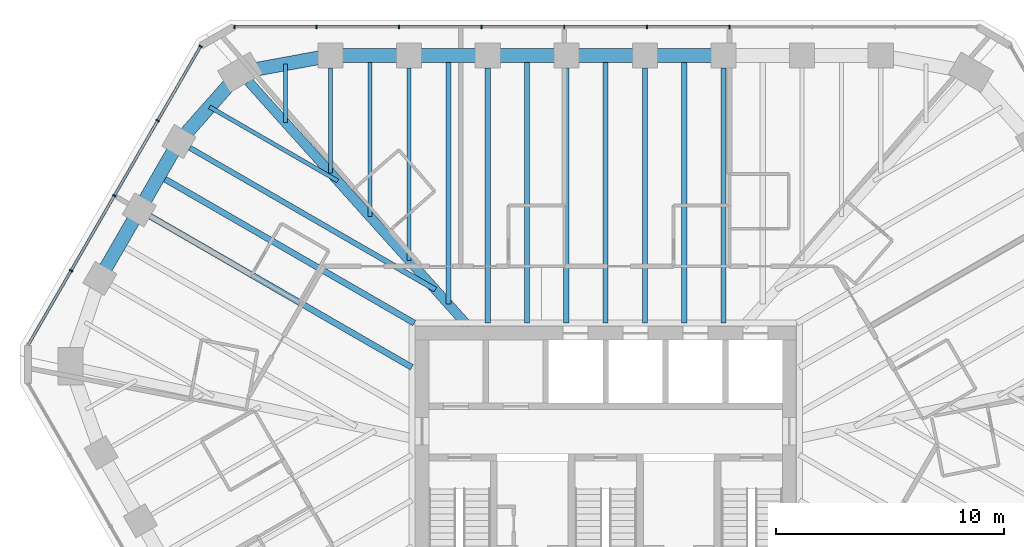
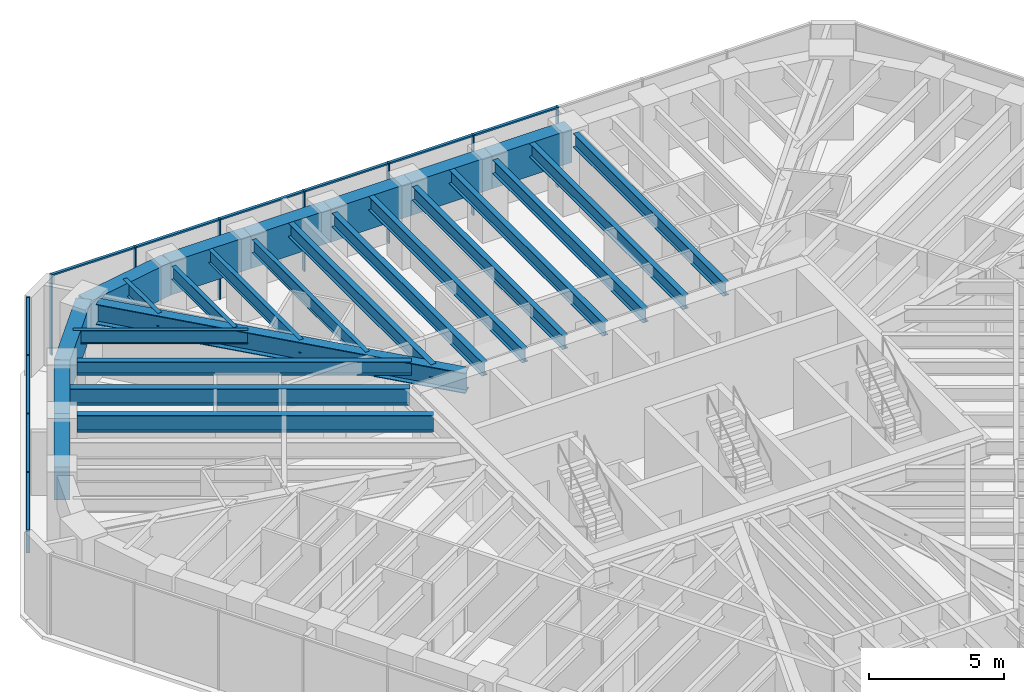
# One storey, part 6 of 14: 26 beams, 21 members, 2 elements without a shape of their own.
"""IFC4 building model written with IfcOpenShell, lengths in metres."""

from ifc_helpers import new_model, si_unit, direction, frame, origin, origin_2d, place, context, subcontext, project, spatial, rectangle, i_section, extrude, material, material_profile, profile_set, type_object, element, aggregate, save


model = new_model("IFC4")

# Units and contexts
model_context = context("Model", 3, precision=1e-05, world=origin(), true_north=direction((0.0, 1.0)))
body_context = subcontext(model_context, "Body", "Model", "MODEL_VIEW")
ifc_project = project(units=[si_unit("LENGTHUNIT", "METRE"), si_unit("AREAUNIT", "SQUARE_METRE"), si_unit("VOLUMEUNIT", "CUBIC_METRE"), si_unit("PLANEANGLEUNIT", "RADIAN"), si_unit("MASSUNIT", "GRAM", prefix="KILO")], contexts=[model_context])

# Site, building, storey
site_placement = place(None, origin())
site = spatial("IfcSite", under=ifc_project, at=site_placement, CompositionType="ELEMENT")
building_placement = place(site_placement, origin())
building = spatial("IfcBuilding", under=site, at=building_placement, Name="Sandreach Pilgrim Tower", CompositionType="ELEMENT")
storey_placement = place(building_placement, frame((0.0, 0.0, 283.60009765625)))
storey = spatial("IfcBuildingStorey", under=building, at=storey_placement, Name="L71", CompositionType="ELEMENT", Elevation=283.60009765625)

# Curtain wall, members
ifc_material_1 = material(Name="Aluminium framed curtain wall", Category="aluminium")
curtain_wall_type = type_object("IfcCurtainWallType", Name="Suite tower curtain wall", PredefinedType="NOTDEFINED", material=ifc_material_1)
curtain_wall_1_placement = place(storey_placement, origin())
curtain_wall_1 = element("IfcCurtainWall", 1, at=curtain_wall_1_placement, inside=storey, type_object=curtain_wall_type, Name="CW-4 L71 N", PredefinedType="NOTDEFINED")
ifc_material_2 = material(Name="Aluminium extrusion", Category="aluminium")
ifc_material_profile_1 = material_profile(ifc_material_2, rectangle(XDim=0.06005859375, YDim=0.159912109375, at=origin_2d()), Name="CW-4M 60X160")
ifc_profile_set_1 = profile_set([ifc_material_profile_1], Name="Aluminium extrusion")
member_type_1 = type_object("IfcMemberType", Name="CW-4 mullion", PredefinedType="MULLION", material=ifc_profile_set_1)
member_1_placement = place(storey_placement, frame((-16.268310546875, 19.826416015625, 0.0), z_axis=(0.0, 0.0, 1.0), x_axis=(1.0, 0.0, 0.0)))
member_1 = element("IfcMember", 2, at=member_1_placement, type_object=member_type_1, Name="CW-4 mullion 1", PredefinedType="MULLION", context=body_context, shape_type="SweptSolid", body=[
    extrude(rectangle(XDim=0.06005859375, YDim=0.159912109375, at=origin_2d()), origin(), (0.0, 0.0, 1.0), 3.639892578125),
])
member_2_placement = place(storey_placement, frame((-12.676513671875, 19.826416015625, 0.0), z_axis=(0.0, 0.0, 1.0), x_axis=(1.0, 0.0, 0.0)))
member_2 = element("IfcMember", 3, at=member_2_placement, type_object=member_type_1, Name="CW-4 mullion 2", PredefinedType="MULLION", context=body_context, shape_type="SweptSolid", body=[
    extrude(rectangle(XDim=0.06005859375, YDim=0.159912109375, at=origin_2d()), origin(), (0.0, 0.0, 1.0), 3.639892578125),
])
member_3_placement = place(storey_placement, frame((-9.0546875, 19.826416015625, 0.0), z_axis=(0.0, 0.0, 1.0), x_axis=(1.0, 0.0, 0.0)))
member_3 = element("IfcMember", 4, at=member_3_placement, type_object=member_type_1, Name="CW-4 mullion 3", PredefinedType="MULLION", context=body_context, shape_type="SweptSolid", body=[
    extrude(rectangle(XDim=0.06005859375, YDim=0.159912109375, at=origin_2d()), origin(), (0.0, 0.0, 1.0), 3.639892578125),
])
member_4_placement = place(storey_placement, frame((-5.432861328125, 19.826416015625, 0.0), z_axis=(0.0, 0.0, 1.0), x_axis=(1.0, 0.0, 0.0)))
member_4 = element("IfcMember", 5, at=member_4_placement, type_object=member_type_1, Name="CW-4 mullion 4", PredefinedType="MULLION", context=body_context, shape_type="SweptSolid", body=[
    extrude(rectangle(XDim=0.06005859375, YDim=0.159912109375, at=origin_2d()), origin(), (0.0, 0.0, 1.0), 3.639892578125),
])
member_5_placement = place(storey_placement, frame((-1.81103515625, 19.826416015625, 0.0), z_axis=(0.0, 0.0, 1.0), x_axis=(1.0, 0.0, 0.0)))
member_5 = element("IfcMember", 6, at=member_5_placement, type_object=member_type_1, Name="CW-4 mullion 5", PredefinedType="MULLION", context=body_context, shape_type="SweptSolid", body=[
    extrude(rectangle(XDim=0.06005859375, YDim=0.159912109375, at=origin_2d()), origin(), (0.0, 0.0, 1.0), 3.639892578125),
])
member_6_placement = place(storey_placement, frame((1.81103515625, 19.826416015625, 0.0), z_axis=(0.0, 0.0, 1.0), x_axis=(1.0, 0.0, 0.0)))
member_6 = element("IfcMember", 7, at=member_6_placement, type_object=member_type_1, Name="CW-4 mullion 6", PredefinedType="MULLION", context=body_context, shape_type="SweptSolid", body=[
    extrude(rectangle(XDim=0.06005859375, YDim=0.159912109375, at=origin_2d()), origin(), (0.0, 0.0, 1.0), 3.639892578125),
])
member_7_placement = place(storey_placement, frame((5.432861328125, 19.826416015625, 0.0), z_axis=(0.0, 0.0, 1.0), x_axis=(1.0, 0.0, 0.0)))
member_7 = element("IfcMember", 8, at=member_7_placement, type_object=member_type_1, Name="CW-4 mullion 7", PredefinedType="MULLION", context=body_context, shape_type="SweptSolid", body=[
    extrude(rectangle(XDim=0.06005859375, YDim=0.159912109375, at=origin_2d()), origin(), (0.0, 0.0, 1.0), 3.639892578125),
])

curtain_wall_2_placement = place(storey_placement, origin())
curtain_wall_2 = element("IfcCurtainWall", 9, at=curtain_wall_2_placement, inside=storey, type_object=curtain_wall_type, Name="CW-4 L71 NW", PredefinedType="NOTDEFINED")
member_8_placement = place(storey_placement, frame((-23.423583984375, 9.145263671875, 0.0), z_axis=(0.0, 0.0, 1.0), x_axis=(0.5, 0.866025403784, 0.0)))
member_8 = element("IfcMember", 10, at=member_8_placement, type_object=member_type_1, Name="CW-4 mullion 2", PredefinedType="MULLION", context=body_context, shape_type="SweptSolid", body=[
    extrude(rectangle(XDim=0.06005859375, YDim=0.159912109375, at=origin_2d()), origin(), (0.0, 0.0, 1.0), 3.639892578125),
])
member_9_placement = place(storey_placement, frame((-21.527587890625, 12.428955078125, 0.0), z_axis=(0.0, 0.0, 1.0), x_axis=(0.5, 0.866025403784, 0.0)))
member_9 = element("IfcMember", 11, at=member_9_placement, type_object=member_type_1, Name="CW-4 mullion 3", PredefinedType="MULLION", context=body_context, shape_type="SweptSolid", body=[
    extrude(rectangle(XDim=0.06005859375, YDim=0.159912109375, at=origin_2d()), origin(), (0.0, 0.0, 1.0), 3.639892578125),
])
member_10_placement = place(storey_placement, frame((-19.6318359375, 15.712646484375, 0.0), z_axis=(0.0, 0.0, 1.0), x_axis=(0.5, 0.866025403784, 0.0)))
member_10 = element("IfcMember", 12, at=member_10_placement, type_object=member_type_1, Name="CW-4 mullion 4", PredefinedType="MULLION", context=body_context, shape_type="SweptSolid", body=[
    extrude(rectangle(XDim=0.06005859375, YDim=0.159912109375, at=origin_2d()), origin(), (0.0, 0.0, 1.0), 3.639892578125),
])
member_11_placement = place(storey_placement, frame((-17.7509765625, 18.970458984375, 0.0), z_axis=(0.0, 0.0, 1.0), x_axis=(0.5, 0.866025403784, 0.0)))
member_11 = element("IfcMember", 13, at=member_11_placement, type_object=member_type_1, Name="CW-4 mullion 5", PredefinedType="MULLION", context=body_context, shape_type="SweptSolid", body=[
    extrude(rectangle(XDim=0.06005859375, YDim=0.159912109375, at=origin_2d()), origin(), (0.0, 0.0, 1.0), 3.639892578125),
])

# Member
ifc_material_3 = material(Name="Aluminium extrusion", Category="aluminium")
ifc_material_profile_2 = material_profile(ifc_material_3, rectangle(XDim=0.1201171875, YDim=0.070068359375, at=origin_2d()), Name="CW-4T 120X70")
ifc_profile_set_2 = profile_set([ifc_material_profile_2], Name="Aluminium extrusion")
member_type_2 = type_object("IfcMemberType", Name="CW-4 transom", PredefinedType="USERDEFINED", material=ifc_profile_set_2)
member_12_placement = place(storey_placement, frame((-16.23828125, 19.826416015625, 3.60498046875), z_axis=(1.0, 0.0, 0.0), x_axis=(0.0, 1.0, 0.0)))
member_12 = element("IfcMember", 14, at=member_12_placement, type_object=member_type_2, Name="CW-4 head transom 1", ObjectType="TRANSOM", PredefinedType="USERDEFINED", context=body_context, shape_type="SweptSolid", body=[
    extrude(rectangle(XDim=0.1201171875, YDim=0.070068359375, at=origin_2d()), origin(), (0.0, 0.0, 1.0), 3.53173828125),
])

member_13_placement = place(storey_placement, frame((-12.646484375, 19.826416015625, 3.60498046875), z_axis=(1.0, 0.0, 0.0), x_axis=(0.0, 1.0, 0.0)))
member_13 = element("IfcMember", 15, at=member_13_placement, type_object=member_type_2, Name="CW-4 head transom 2", ObjectType="TRANSOM", PredefinedType="USERDEFINED", context=body_context, shape_type="SweptSolid", body=[
    extrude(rectangle(XDim=0.1201171875, YDim=0.070068359375, at=origin_2d()), origin(), (0.0, 0.0, 1.0), 3.561767578125),
])

member_14_placement = place(storey_placement, frame((-9.024658203125, 19.826416015625, 3.60498046875), z_axis=(1.0, 0.0, 0.0), x_axis=(0.0, 1.0, 0.0)))
member_14 = element("IfcMember", 16, at=member_14_placement, type_object=member_type_2, Name="CW-4 head transom 3", ObjectType="TRANSOM", PredefinedType="USERDEFINED", context=body_context, shape_type="SweptSolid", body=[
    extrude(rectangle(XDim=0.1201171875, YDim=0.070068359375, at=origin_2d()), origin(), (0.0, 0.0, 1.0), 3.561767578125),
])

member_15_placement = place(storey_placement, frame((-5.40283203125, 19.826416015625, 3.60498046875), z_axis=(1.0, 0.0, 0.0), x_axis=(0.0, 1.0, 0.0)))
member_15 = element("IfcMember", 17, at=member_15_placement, type_object=member_type_2, Name="CW-4 head transom 4", ObjectType="TRANSOM", PredefinedType="USERDEFINED", context=body_context, shape_type="SweptSolid", body=[
    extrude(rectangle(XDim=0.1201171875, YDim=0.070068359375, at=origin_2d()), origin(), (0.0, 0.0, 1.0), 3.56201171875),
])

member_16_placement = place(storey_placement, frame((-1.781005859375, 19.826416015625, 3.60498046875), z_axis=(1.0, 0.0, 0.0), x_axis=(0.0, 1.0, 0.0)))
member_16 = element("IfcMember", 18, at=member_16_placement, type_object=member_type_2, Name="CW-4 head transom 5", ObjectType="TRANSOM", PredefinedType="USERDEFINED", context=body_context, shape_type="SweptSolid", body=[
    extrude(rectangle(XDim=0.1201171875, YDim=0.070068359375, at=origin_2d()), origin(), (0.0, 0.0, 1.0), 3.56201171875),
])

member_17_placement = place(storey_placement, frame((1.8408203125, 19.826416015625, 3.60498046875), z_axis=(1.0, 0.0, 0.0), x_axis=(0.0, 1.0, 0.0)))
member_17 = element("IfcMember", 19, at=member_17_placement, type_object=member_type_2, Name="CW-4 head transom 6", ObjectType="TRANSOM", PredefinedType="USERDEFINED", context=body_context, shape_type="SweptSolid", body=[
    extrude(rectangle(XDim=0.1201171875, YDim=0.070068359375, at=origin_2d()), origin(), (0.0, 0.0, 1.0), 3.56201171875),
])

aggregate(curtain_wall_1, [member_1, member_2, member_3, member_4, member_5, member_6, member_7, member_12, member_13, member_14, member_15, member_16, member_17])

member_18_placement = place(storey_placement, frame((-25.289306640625, 5.91357421875, 3.60498046875), z_axis=(0.499990780478, 0.866030726613, 0.0), x_axis=(-0.866030726613, 0.499990780478, 0.0)))
member_18 = element("IfcMember", 20, at=member_18_placement, type_object=member_type_2, Name="CW-4 head transom 1", ObjectType="TRANSOM", PredefinedType="USERDEFINED", context=body_context, shape_type="SweptSolid", body=[
    extrude(rectangle(XDim=0.1201171875, YDim=0.070068359375, at=origin_2d()), origin(), (0.0, 0.0, 1.0), 3.70166015625),
])

member_19_placement = place(storey_placement, frame((-23.408447265625, 9.17138671875, 3.60498046875), z_axis=(0.499981083104, 0.866036325184, 0.0), x_axis=(-0.866036325184, 0.499981083104, 0.0)))
member_19 = element("IfcMember", 21, at=member_19_placement, type_object=member_type_2, Name="CW-4 head transom 2", ObjectType="TRANSOM", PredefinedType="USERDEFINED", context=body_context, shape_type="SweptSolid", body=[
    extrude(rectangle(XDim=0.1201171875, YDim=0.070068359375, at=origin_2d()), origin(), (0.0, 0.0, 1.0), 3.731689453125),
])

member_20_placement = place(storey_placement, frame((-21.5126953125, 12.455078125, 3.60498046875), z_axis=(0.500030151002, 0.866007995396, 0.0), x_axis=(-0.866007995396, 0.500030151002, 0.0)))
member_20 = element("IfcMember", 22, at=member_20_placement, type_object=member_type_2, Name="CW-4 head transom 3", ObjectType="TRANSOM", PredefinedType="USERDEFINED", context=body_context, shape_type="SweptSolid", body=[
    extrude(rectangle(XDim=0.1201171875, YDim=0.070068359375, at=origin_2d()), origin(), (0.0, 0.0, 1.0), 3.731689453125),
])

member_21_placement = place(storey_placement, frame((-19.616943359375, 15.73876953125, 3.60498046875), z_axis=(0.499990780478, 0.866030726613, 0.0), x_axis=(-0.866030726613, 0.499990780478, 0.0)))
member_21 = element("IfcMember", 23, at=member_21_placement, type_object=member_type_2, Name="CW-4 head transom 4", ObjectType="TRANSOM", PredefinedType="USERDEFINED", context=body_context, shape_type="SweptSolid", body=[
    extrude(rectangle(XDim=0.1201171875, YDim=0.070068359375, at=origin_2d()), origin(), (0.0, 0.0, 1.0), 3.70166015625),
])

aggregate(curtain_wall_2, [member_8, member_9, member_10, member_11, member_18, member_19, member_20, member_21])

# Beams
ifc_material_4 = material(Name="Steel ASTM A992 Grade 50", Category="steel")
ifc_material_profile_3 = material_profile(ifc_material_4, i_section(OverallWidth=0.419189453125, OverallDepth=0.927001953125, WebThickness=0.019287109375, FlangeThickness=0.031982421875, at=origin_2d()), Name="W36X231")
ifc_profile_set_3 = profile_set([ifc_material_profile_3], Name="Steel ASTM A992 Grade 50")
beam_type_1 = type_object("IfcBeamType", Name="Corner girder W36X231", PredefinedType="BEAM", material=ifc_profile_set_3)
beam_1_placement = place(storey_placement, frame((-15.649169921875, 17.427978515625, 3.17626953125), z_axis=(0.668114851597, -0.74405815974, 0.0), x_axis=(0.74405815974, 0.668114851597, 0.0)))
element("IfcBeam", 24, at=beam_1_placement, inside=storey, type_object=beam_type_1, Name="BM L71 CG39", PredefinedType="BEAM", context=body_context, shape_type="SweptSolid", body=[
    extrude(i_section(OverallWidth=0.419189453125, OverallDepth=0.927001953125, WebThickness=0.019287109375, FlangeThickness=0.031982421875, at=origin_2d()), origin(), (0.0, 0.0, 1.0), 14.418212890625),
])
ifc_material_5 = material(Name="Steel ASTM A992 Grade 50", Category="steel")
ifc_material_profile_4 = material_profile(ifc_material_5, i_section(OverallWidth=0.1787109375, OverallDepth=0.60205078125, WebThickness=0.010986328125, FlangeThickness=0.014892578125, at=origin_2d()), Name="W24X62")
ifc_profile_set_4 = profile_set([ifc_material_profile_4], Name="Steel ASTM A992 Grade 50")
beam_type_2 = type_object("IfcBeamType", Name="Floor beam W24X62", PredefinedType="BEAM", material=ifc_profile_set_4)
beam_2_placement = place(storey_placement, frame((-12.0576171875, 18.016357421875, 3.3388671875), z_axis=(0.0, -1.0, 0.0), x_axis=(1.0, 0.0, 0.0)))
element("IfcBeam", 25, at=beam_2_placement, inside=storey, type_object=beam_type_2, Name="BM L71 F01", PredefinedType="BEAM", context=body_context, shape_type="SweptSolid", body=[
    extrude(i_section(OverallWidth=0.1787109375, OverallDepth=0.60205078125, WebThickness=0.010986328125, FlangeThickness=0.014892578125, at=origin_2d()), origin(), (0.0, 0.0, 1.0), 4.58837890625),
])
beam_3_placement = place(storey_placement, frame((-8.612548828125, 18.016357421875, 3.3388671875), z_axis=(0.0, -1.0, 0.0), x_axis=(1.0, 0.0, 0.0)))
element("IfcBeam", 26, at=beam_3_placement, inside=storey, type_object=beam_type_2, Name="BM L71 F02", PredefinedType="BEAM", context=body_context, shape_type="SweptSolid", body=[
    extrude(i_section(OverallWidth=0.1787109375, OverallDepth=0.60205078125, WebThickness=0.010986328125, FlangeThickness=0.014892578125, at=origin_2d()), origin(), (0.0, 0.0, 1.0), 8.4248046875),
])
beam_4_placement = place(storey_placement, frame((-10.3349609375, 18.56640625, 3.3388671875), z_axis=(0.0, -1.0, 0.0), x_axis=(1.0, 0.0, 0.0)))
element("IfcBeam", 27, at=beam_4_placement, inside=storey, type_object=beam_type_2, Name="BM L71 FM01", PredefinedType="BEAM", context=body_context, shape_type="SweptSolid", body=[
    extrude(i_section(OverallWidth=0.1787109375, OverallDepth=0.60205078125, WebThickness=0.010986328125, FlangeThickness=0.014892578125, at=origin_2d()), origin(), (0.0, 0.0, 1.0), 7.056640625),
])
beam_5_placement = place(storey_placement, frame((-17.360107421875, 16.31884765625, 3.3388671875), z_axis=(0.866023980233, -0.500002465655, 0.0), x_axis=(0.500002465655, 0.866023980233, 0.0)))
element("IfcBeam", 28, at=beam_5_placement, inside=storey, type_object=beam_type_2, Name="BM L71 FM38", PredefinedType="BEAM", context=body_context, shape_type="SweptSolid", body=[
    extrude(i_section(OverallWidth=0.1787109375, OverallDepth=0.60205078125, WebThickness=0.010986328125, FlangeThickness=0.014892578125, at=origin_2d()), origin(), (0.0, 0.0, 1.0), 6.49072265625),
])
beam_6_placement = place(storey_placement, frame((-14.037109375, 18.201904296875, 3.3388671875), z_axis=(0.0, -1.0, 0.0), x_axis=(1.0, 0.0, 0.0)))
element("IfcBeam", 29, at=beam_6_placement, inside=storey, type_object=beam_type_2, Name="BM L71 FM39", PredefinedType="BEAM", context=body_context, shape_type="SweptSolid", body=[
    extrude(i_section(OverallWidth=0.1787109375, OverallDepth=0.60205078125, WebThickness=0.010986328125, FlangeThickness=0.014892578125, at=origin_2d()), origin(), (0.0, 0.0, 1.0), 2.5693359375),
])
ifc_material_6 = material(Name="Steel ASTM A992 Grade 50", Category="steel")
ifc_material_profile_5 = material_profile(ifc_material_6, i_section(OverallWidth=0.23046875, OverallDepth=0.6171875, WebThickness=0.01318359375, FlangeThickness=0.022216796875, at=origin_2d()), Name="W24X94")
ifc_profile_set_5 = profile_set([ifc_material_profile_5], Name="Steel ASTM A992 Grade 50")
beam_type_3 = type_object("IfcBeamType", Name="Floor beam W24X94", PredefinedType="BEAM", material=ifc_profile_set_5)
for number, where, z_axis, x_axis, name in (
    (30, (-5.16748046875, 18.016357421875, 3.331298828125), (0.0, -1.0, 0.0), (1.0, 0.0, 0.0), "BM L71 F03"),
    (31, (-1.722412109375, 18.016357421875, 3.331298828125), (0.0, -1.0, 0.0), (1.0, 0.0, 0.0), "BM L71 F04"),
    (32, (1.722412109375, 18.016357421875, 3.331298828125), (0.0, -1.0, 0.0), (1.0, 0.0, 0.0), "BM L71 F05"),
    (33, (5.16748046875, 18.016357421875, 3.331298828125), (0.0, -1.0, 0.0), (1.0, 0.0, 0.0), "BM L71 F06"),
):
    element("IfcBeam", number, at=place(storey_placement, frame(where, z_axis=z_axis, x_axis=x_axis)), inside=storey, type_object=beam_type_3, Name=name, PredefinedType="BEAM", context=body_context, shape_type="SweptSolid", body=[
        extrude(i_section(OverallWidth=0.23046875, OverallDepth=0.6171875, WebThickness=0.01318359375, FlangeThickness=0.022216796875, at=origin_2d()), origin(), (0.0, 0.0, 1.0), 11.173095703125),
    ])
beam_7_placement = place(storey_placement, frame((-18.227294921875, 14.525390625, 3.331298828125), z_axis=(0.866020427415, -0.500008619226, 0.0), x_axis=(0.500008619226, 0.866020427415, 0.0)))
element("IfcBeam", 34, at=beam_7_placement, inside=storey, type_object=beam_type_3, Name="BM L71 F38", PredefinedType="BEAM", context=body_context, shape_type="SweptSolid", body=[
    extrude(i_section(OverallWidth=0.23046875, OverallDepth=0.6171875, WebThickness=0.01318359375, FlangeThickness=0.022216796875, at=origin_2d()), origin(), (0.0, 0.0, 1.0), 12.431396484375),
])
beam_8_placement = place(storey_placement, frame((-6.89013671875, 18.56640625, 3.331298828125), z_axis=(0.0, -1.0, 0.0), x_axis=(1.0, 0.0, 0.0)))
element("IfcBeam", 35, at=beam_8_placement, inside=storey, type_object=beam_type_3, Name="BM L71 FM02", PredefinedType="BEAM", context=body_context, shape_type="SweptSolid", body=[
    extrude(i_section(OverallWidth=0.23046875, OverallDepth=0.6171875, WebThickness=0.01318359375, FlangeThickness=0.022216796875, at=origin_2d()), origin(), (0.0, 0.0, 1.0), 10.893310546875),
])
for number, where, z_axis, x_axis, name in (
    (36, (-3.445068359375, 18.56640625, 3.331298828125), (0.0, -1.0, 0.0), (1.0, 0.0, 0.0), "BM L71 FM03"),
    (37, (0.0, 18.56640625, 3.331298828125), (0.0, -1.0, 0.0), (1.0, 0.0, 0.0), "BM L71 FM04"),
    (38, (3.445068359375, 18.56640625, 3.331298828125), (0.0, -1.0, 0.0), (1.0, 0.0, 0.0), "BM L71 FM05"),
):
    element("IfcBeam", number, at=place(storey_placement, frame(where, z_axis=z_axis, x_axis=x_axis)), inside=storey, type_object=beam_type_3, Name=name, PredefinedType="BEAM", context=body_context, shape_type="SweptSolid", body=[
        extrude(i_section(OverallWidth=0.23046875, OverallDepth=0.6171875, WebThickness=0.01318359375, FlangeThickness=0.022216796875, at=origin_2d()), origin(), (0.0, 0.0, 1.0), 11.72314453125),
    ])
ifc_material_7 = material(Name="Steel ASTM A992 Grade 50", Category="steel")
ifc_material_profile_6 = material_profile(ifc_material_7, i_section(OverallWidth=0.2666015625, OverallDepth=0.761962890625, WebThickness=0.014404296875, FlangeThickness=0.021484375, at=origin_2d()), Name="W30X116")
ifc_profile_set_6 = profile_set([ifc_material_profile_6], Name="Steel ASTM A992 Grade 50")
beam_type_4 = type_object("IfcBeamType", Name="Floor beam W30X116", PredefinedType="BEAM", material=ifc_profile_set_6)
beam_9_placement = place(storey_placement, frame((-19.960205078125, 11.52392578125, 3.2587890625), z_axis=(0.86602530353, -0.500000173646, 0.0), x_axis=(0.500000173646, 0.86602530353, 0.0)))
element("IfcBeam", 39, at=beam_9_placement, inside=storey, type_object=beam_type_4, Name="BM L71 F37", PredefinedType="BEAM", context=body_context, shape_type="SweptSolid", body=[
    extrude(i_section(OverallWidth=0.2666015625, OverallDepth=0.761962890625, WebThickness=0.014404296875, FlangeThickness=0.021484375, at=origin_2d()), origin(), (0.0, 0.0, 1.0), 13.24072265625),
])
beam_10_placement = place(storey_placement, frame((-19.570068359375, 13.299560546875, 3.2587890625), z_axis=(0.866025008595, -0.500000684488, 0.0), x_axis=(0.500000684488, 0.866025008595, 0.0)))
element("IfcBeam", 40, at=beam_10_placement, inside=storey, type_object=beam_type_4, Name="BM L71 FM37", PredefinedType="BEAM", context=body_context, shape_type="SweptSolid", body=[
    extrude(i_section(OverallWidth=0.2666015625, OverallDepth=0.761962890625, WebThickness=0.014404296875, FlangeThickness=0.021484375, at=origin_2d()), origin(), (0.0, 0.0, 1.0), 12.91259765625),
])
ifc_material_8 = material(Name="Concrete 10000 psi", Category="concrete")
ifc_material_profile_7 = material_profile(ifc_material_8, rectangle(XDim=0.60009765625, YDim=1.5, at=origin_2d()), Name="RC600X1500")
ifc_profile_set_7 = profile_set([ifc_material_profile_7], Name="Concrete 10000 psi")
beam_type_5 = type_object("IfcBeamType", Name="Spandrel beam RC600X1500", PredefinedType="SPANDREL", material=ifc_profile_set_7)
for number, where, z_axis, x_axis, name in (
    (41, (-12.0576171875, 18.56640625, 2.889892578125), (1.0, 0.0, 0.0), (0.0, 1.0, 0.0), "BM L71 SP01"),
    (42, (-8.612548828125, 18.56640625, 2.889892578125), (1.0, 0.0, 0.0), (0.0, 1.0, 0.0), "BM L71 SP02"),
    (43, (-5.16748046875, 18.56640625, 2.889892578125), (1.0, 0.0, 0.0), (0.0, 1.0, 0.0), "BM L71 SP03"),
):
    element("IfcBeam", number, at=place(storey_placement, frame(where, z_axis=z_axis, x_axis=x_axis)), inside=storey, type_object=beam_type_5, Name=name, PredefinedType="SPANDREL", context=body_context, shape_type="SweptSolid", body=[
        extrude(rectangle(XDim=0.60009765625, YDim=1.5, at=origin_2d()), origin(), (0.0, 0.0, 1.0), 3.445068359375),
    ])
beam_11_placement = place(storey_placement, frame((-1.722412109375, 18.56640625, 2.889892578125), z_axis=(1.0, 0.0, 0.0), x_axis=(0.0, 1.0, 0.0)))
element("IfcBeam", 44, at=beam_11_placement, inside=storey, type_object=beam_type_5, Name="BM L71 SP04", PredefinedType="SPANDREL", context=body_context, shape_type="SweptSolid", body=[
    extrude(rectangle(XDim=0.60009765625, YDim=1.5, at=origin_2d()), origin(), (0.0, 0.0, 1.0), 3.44482421875),
])
beam_12_placement = place(storey_placement, frame((1.722412109375, 18.56640625, 2.889892578125), z_axis=(1.0, 0.0, 0.0), x_axis=(0.0, 1.0, 0.0)))
element("IfcBeam", 45, at=beam_12_placement, inside=storey, type_object=beam_type_5, Name="BM L71 SP05", PredefinedType="SPANDREL", context=body_context, shape_type="SweptSolid", body=[
    extrude(rectangle(XDim=0.60009765625, YDim=1.5, at=origin_2d()), origin(), (0.0, 0.0, 1.0), 3.445068359375),
])
for number, where, z_axis, x_axis, name in (
    (46, (-22.169189453125, 8.7978515625, 2.889892578125), (0.499980616072, 0.866036594811, 0.0), (-0.866036594811, 0.499980616072, 0.0), "BM L71 SP36"),
    (47, (-20.4365234375, 11.799072265625, 2.889892578125), (0.500033451825, 0.866006089503, 0.0), (-0.866006089503, 0.500033451825, 0.0), "BM L71 SP37"),
):
    element("IfcBeam", number, at=place(storey_placement, frame(where, z_axis=z_axis, x_axis=x_axis)), inside=storey, type_object=beam_type_5, Name=name, PredefinedType="SPANDREL", context=body_context, shape_type="SweptSolid", body=[
        extrude(rectangle(XDim=0.60009765625, YDim=1.5, at=origin_2d()), origin(), (0.0, 0.0, 1.0), 3.465576171875),
    ])
beam_13_placement = place(storey_placement, frame((-18.70361328125, 14.80029296875, 2.889892578125), z_axis=(0.662650525414, 0.748928755736, 0.0), x_axis=(-0.748928755736, 0.662650525414, 0.0)))
element("IfcBeam", 48, at=beam_13_placement, inside=storey, type_object=beam_type_5, Name="BM L71 SP38", PredefinedType="SPANDREL", context=body_context, shape_type="SweptSolid", body=[
    extrude(rectangle(XDim=0.60009765625, YDim=1.5, at=origin_2d()), origin(), (0.0, 0.0, 1.0), 4.054931640625),
])
beam_14_placement = place(storey_placement, frame((-16.0166015625, 17.837158203125, 2.889892578125), z_axis=(0.983454894629, 0.181153167875, 0.0), x_axis=(-0.181153167875, 0.983454894629, 0.0)))
element("IfcBeam", 49, at=beam_14_placement, inside=storey, type_object=beam_type_5, Name="BM L71 SP39", PredefinedType="SPANDREL", context=body_context, shape_type="SweptSolid", body=[
    extrude(rectangle(XDim=0.60009765625, YDim=1.5, at=origin_2d()), origin(), (0.0, 0.0, 1.0), 4.025634765625),
])

save(model, "model.ifc")
